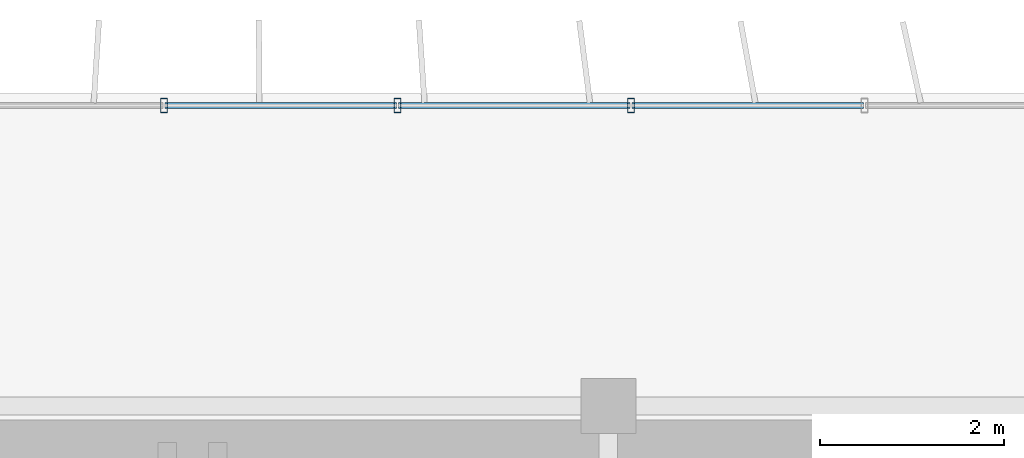
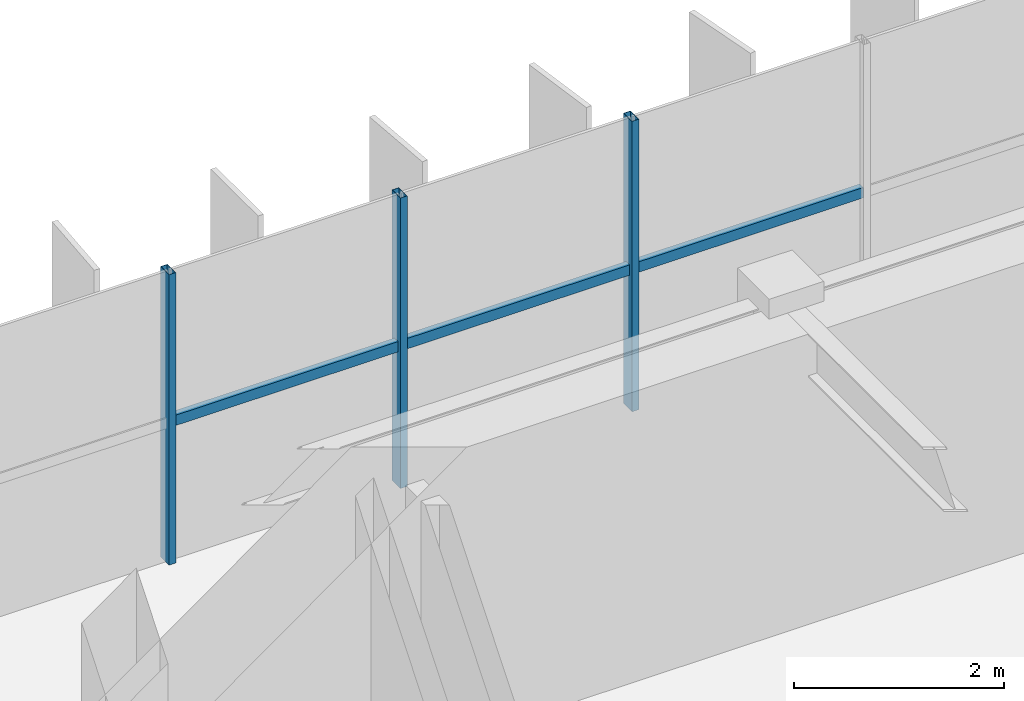
# One storey, part 8 of 23: 6 members, 1 element without a shape of its own.
"""IFC4 building model written with IfcOpenShell, lengths in metres."""

from ifc_helpers import new_model, si_unit, direction, frame, origin, origin_2d, place, context, subcontext, project, spatial, hollow_rectangle, extrude, source, transform, mapped, material, material_profile, profile_set, type_object, element, aggregate, save


model = new_model("IFC4")

# Units and contexts
model_context = context("Model", 3, precision=1e-05, world=origin(), true_north=direction((0.0, 1.0)))
body_context = subcontext(model_context, "Body", "Model", "MODEL_VIEW")
ifc_project = project(units=[si_unit("LENGTHUNIT", "METRE"), si_unit("AREAUNIT", "SQUARE_METRE"), si_unit("VOLUMEUNIT", "CUBIC_METRE"), si_unit("PLANEANGLEUNIT", "RADIAN"), si_unit("MASSUNIT", "GRAM", prefix="KILO")], contexts=[model_context])

# Site, building, storey
site_placement = place(None, origin())
site = spatial("IfcSite", under=ifc_project, at=site_placement, CompositionType="ELEMENT")
building_placement = place(site_placement, origin())
building = spatial("IfcBuilding", under=site, at=building_placement, Name="Trelvane Seafront Commons", CompositionType="ELEMENT")
storey_placement = place(building_placement, frame((0.0, 0.0, 266.699951171875)))
storey = spatial("IfcBuildingStorey", under=building, at=storey_placement, Name="L69", CompositionType="ELEMENT", Elevation=266.699951171875)

# Curtain wall, members
ifc_material = material(Name="Anodised pale-silver aluminium", Category="aluminium")
curtain_wall_type = type_object("IfcCurtainWallType", Name="ARCH-CW5-UPTOWER", PredefinedType="NOTDEFINED", material=ifc_material)
curtain_wall_placement = place(storey_placement, origin())
curtain_wall = element("IfcCurtainWall", 1, at=curtain_wall_placement, inside=storey, type_object=curtain_wall_type, Name="CW-L69-0113", PredefinedType="NOTDEFINED")
ifc_material_profile_1 = material_profile(ifc_material, hollow_rectangle(XDim=0.070068359375, YDim=0.1201171875, WallThickness=0.00390625, at=origin_2d()), Name="TRAN-70x120x4")
ifc_profile_set_1 = profile_set([ifc_material_profile_1], Name="Anodised pale-silver aluminium")
member_type_1 = type_object("IfcMemberType", Name="ARCH-CW-TRAN-120", PredefinedType="USERDEFINED", material=ifc_profile_set_1)
shared_shape_1 = source(origin(), body_context, "Body", "SweptSolid", [
    extrude(hollow_rectangle(XDim=0.070068359375, YDim=0.1201171875, WallThickness=0.00390625, at=origin_2d()), origin(), (0.0, 0.0, 1.0), 2.51708984375),
])
member_1_placement = place(storey_placement, frame((30.859130859375, 48.3701171875, 1.6181640625), z_axis=(1.0, 0.0, 0.0), x_axis=(0.0, 1.0, 0.0)))
member_1 = element("IfcMember", 2, at=member_1_placement, type_object=member_type_1, Name="CW-L69-0113-T06", ObjectType="TRANSOM", PredefinedType="USERDEFINED", context=body_context, shape_type="MappedRepresentation", body=[
    mapped(shared_shape_1, transform((0.0, 0.0, 0.0), x_axis=(1.0, 0.0, 0.0), y_axis=(0.0, 1.0, 0.0), z_axis=(0.0, 0.0, 1.0), scale=1.0)),
])
shared_shape_2 = source(origin(), body_context, "Body", "SweptSolid", [
    extrude(hollow_rectangle(XDim=0.070068359375, YDim=0.1201171875, WallThickness=0.00390625, at=origin_2d()), origin(), (0.0, 0.0, 1.0), 2.517333984375),
])
member_2_placement = place(storey_placement, frame((25.776611328125, 48.3701171875, 1.6181640625), z_axis=(1.0, 0.0, 0.0), x_axis=(0.0, 1.0, 0.0)))
member_2 = element("IfcMember", 3, at=member_2_placement, type_object=member_type_1, Name="CW-L69-0113-T04", ObjectType="TRANSOM", PredefinedType="USERDEFINED", context=body_context, shape_type="MappedRepresentation", body=[
    mapped(shared_shape_2, transform((0.0, 0.0, 0.0), x_axis=(1.0, 0.0, 0.0), y_axis=(0.0, 1.0, 0.0), z_axis=(0.0, 0.0, 1.0), scale=1.0)),
])
member_3_placement = place(storey_placement, frame((28.31787109375, 48.3701171875, 1.6181640625), z_axis=(1.0, 0.0, 0.0), x_axis=(0.0, 1.0, 0.0)))
member_3 = element("IfcMember", 4, at=member_3_placement, type_object=member_type_1, Name="CW-L69-0113-T05", ObjectType="TRANSOM", PredefinedType="USERDEFINED", context=body_context, shape_type="MappedRepresentation", body=[
    mapped(shared_shape_2, transform((0.0, 0.0, 0.0), x_axis=(1.0, 0.0, 0.0), y_axis=(0.0, 1.0, 0.0), z_axis=(0.0, 0.0, 1.0), scale=1.0)),
])
ifc_material_profile_2 = material_profile(ifc_material, hollow_rectangle(XDim=0.074951171875, YDim=0.159912109375, WallThickness=0.00390625, at=origin_2d()), Name="MULL-75x160x4")
ifc_profile_set_2 = profile_set([ifc_material_profile_2], Name="Anodised pale-silver aluminium")
member_type_2 = type_object("IfcMemberType", Name="ARCH-CW-MULL-160", PredefinedType="MULLION", material=ifc_profile_set_2)
shared_shape_3 = source(origin(), body_context, "Body", "SweptSolid", [
    extrude(hollow_rectangle(XDim=0.074951171875, YDim=0.159912109375, WallThickness=0.00390625, at=origin_2d()), origin(), (0.0, 0.0, 1.0), 3.3701171875),
])
member_4_placement = place(storey_placement, frame((25.7646484375, 48.3701171875, 0.0), z_axis=(0.0, 0.0, 1.0), x_axis=(1.0, 0.0, 0.0)))
member_4 = element("IfcMember", 5, at=member_4_placement, type_object=member_type_2, Name="CW-L69-0113-M04", PredefinedType="MULLION", context=body_context, shape_type="MappedRepresentation", body=[
    mapped(shared_shape_3, transform((0.0, 0.0, 0.0), x_axis=(1.0, 0.0, 0.0), y_axis=(0.0, 1.0, 0.0), z_axis=(0.0, 0.0, 1.0), scale=1.0)),
])
member_5_placement = place(storey_placement, frame((28.305908203125, 48.3701171875, 0.0), z_axis=(0.0, 0.0, 1.0), x_axis=(1.0, 0.0, 0.0)))
member_5 = element("IfcMember", 6, at=member_5_placement, type_object=member_type_2, Name="CW-L69-0113-M05", PredefinedType="MULLION", context=body_context, shape_type="MappedRepresentation", body=[
    mapped(shared_shape_3, transform((0.0, 0.0, 0.0), x_axis=(1.0, 0.0, 0.0), y_axis=(0.0, 1.0, 0.0), z_axis=(0.0, 0.0, 1.0), scale=1.0)),
])
member_6_placement = place(storey_placement, frame((30.84716796875, 48.3701171875, 0.0), z_axis=(0.0, 0.0, 1.0), x_axis=(1.0, 0.0, 0.0)))
member_6 = element("IfcMember", 7, at=member_6_placement, type_object=member_type_2, Name="CW-L69-0113-M06", PredefinedType="MULLION", context=body_context, shape_type="MappedRepresentation", body=[
    mapped(shared_shape_3, transform((0.0, 0.0, 0.0), x_axis=(1.0, 0.0, 0.0), y_axis=(0.0, 1.0, 0.0), z_axis=(0.0, 0.0, 1.0), scale=1.0)),
])
aggregate(curtain_wall, [member_4, member_5, member_6, member_2, member_3, member_1])

save(model, "model.ifc")
